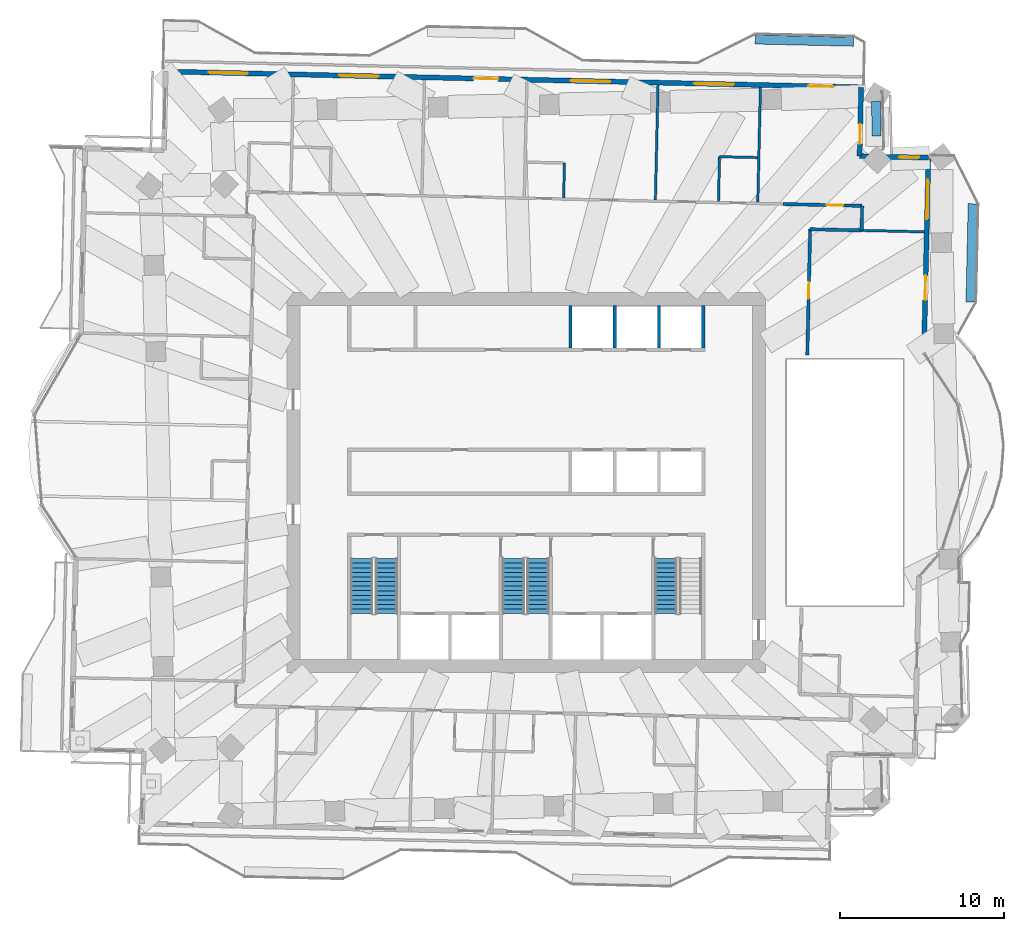
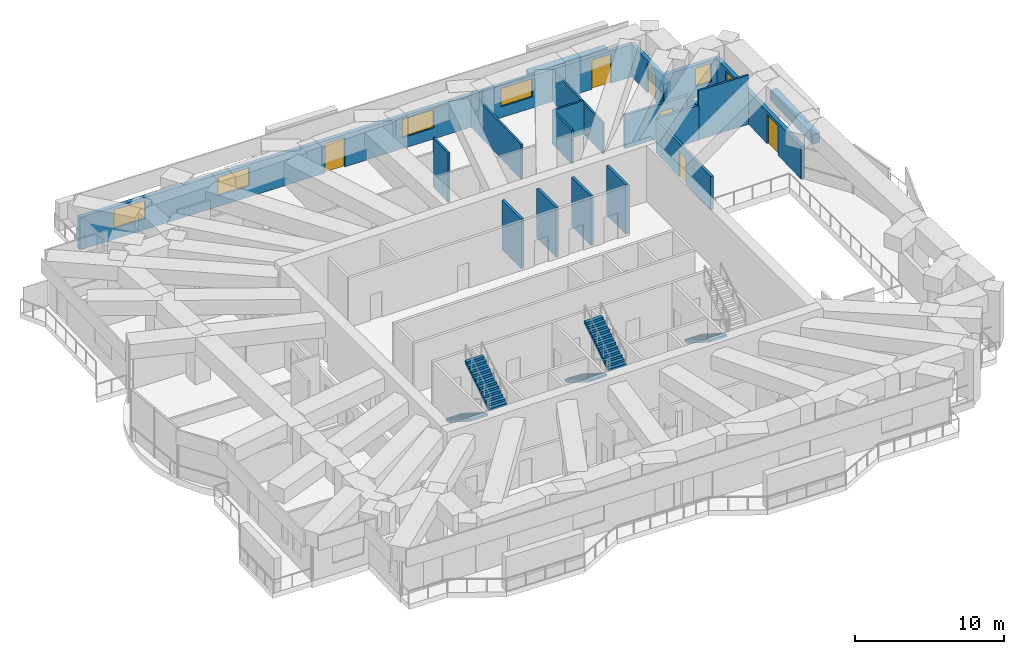
# One storey, part 13 of 19: 21 walls, 6 doors, 6 windows, 5 stair flights, 12 openings, 3 elements without a shape of their own.
"""IFC4 building model written with IfcOpenShell, lengths in metres."""

from ifc_helpers import new_model, si_unit, direction, frame, frame_2d, origin, place, context, subcontext, project, spatial, polyline, rectangle, outline, extrude, material, layer, layer_set, type_object, element, fill, aggregate, save


model = new_model("IFC4")

# Units and contexts
model_context = context("Model", 3, precision=1e-05, world=origin(), true_north=direction((0.0, 1.0)))
body_context = subcontext(model_context, "Body", "Model", "MODEL_VIEW")
ifc_project = project(units=[si_unit("LENGTHUNIT", "METRE"), si_unit("AREAUNIT", "SQUARE_METRE"), si_unit("VOLUMEUNIT", "CUBIC_METRE"), si_unit("PLANEANGLEUNIT", "RADIAN"), si_unit("MASSUNIT", "GRAM", prefix="KILO")], contexts=[model_context])

# Site, building, storey
site_placement = place(None, origin())
site = spatial("IfcSite", under=ifc_project, at=site_placement, CompositionType="ELEMENT")
building_placement = place(site_placement, origin())
building = spatial("IfcBuilding", under=site, at=building_placement, Name="Mangrove Gate Tower", CompositionType="ELEMENT")
storey_placement = place(building_placement, frame((0.0, 0.0, 193.300048828125)))
storey = spatial("IfcBuildingStorey", under=building, at=storey_placement, Name="L49", CompositionType="ELEMENT", Elevation=193.300048828125)

# Walls
ifc_material_1 = material(Name="Concrete C60/75", Category="concrete")
ifc_layer_1 = layer(ifc_material_1, 0.199951171875)
ifc_layer_set_1 = layer_set([ifc_layer_1], Name="Core shaft wall 200 C60/75")
wall_type_1 = type_object("IfcWallType", Name="Core shaft wall 200 C60/75", PredefinedType="SHEAR", material=ifc_layer_set_1)
for number, where, z_axis, x_axis, name in (
    (1, (2.699951171875, 8.199951171875, 0.0), (0.0, 0.0, 1.0), (0.0, 1.0, 0.0), "WALL-L49-CORE-26"),
    (2, (5.39990234375, 8.199951171875, 0.0), (0.0, 0.0, 1.0), (0.0, 1.0, 0.0), "WALL-L49-CORE-27"),
    (3, (8.10009765625, 8.199951171875, 0.0), (0.0, 0.0, 1.0), (0.0, 1.0, 0.0), "WALL-L49-CORE-28"),
    (4, (10.800048828125, 8.199951171875, 0.0), (0.0, 0.0, 1.0), (0.0, 1.0, 0.0), "WALL-L49-CORE-29"),
):
    element("IfcWall", number, at=place(storey_placement, frame(where, z_axis=z_axis, x_axis=x_axis)), inside=storey, type_object=wall_type_1, Name=name, PredefinedType="SHEAR", context=body_context, shape_type="SweptSolid", body=[
        extrude(rectangle(XDim=2.60009765625, YDim=0.199951171875, at=frame_2d((1.300048828125, 0.0))), origin(), (0.0, 0.0, 1.0), 4.050048828125),
    ])

# Wall, opening, door
ifc_material_2 = material(Name="Gypsum board on steel stud, EI 60", Category="steel")
ifc_layer_2 = layer(ifc_material_2, 0.199951171875)
ifc_layer_set_2 = layer_set([ifc_layer_2], Name="Corridor wall EI 60")
wall_type_2 = type_object("IfcWallType", Name="Corridor wall EI 60", PredefinedType="PARTITIONING", material=ifc_layer_set_2)
wall_1_placement = place(storey_placement, frame((17.154052734375, 7.785888671875, 0.0), z_axis=(0.0, 0.0, 1.0), x_axis=(0.022680883318, 0.999742755679, 0.0)))
wall_1 = element("IfcWall", 5, at=wall_1_placement, inside=storey, type_object=wall_type_2, Name="WALL-L49-031", PredefinedType="PARTITIONING", context=body_context, shape_type="SweptSolid", body=[
    extrude(rectangle(XDim=7.6640625, YDim=0.199951171875, at=frame_2d((3.83203125, 0.0))), origin(), (0.0, 0.0, 1.0), 2.75),
])
opening_1_placement = place(wall_1_placement, frame((3.43408203125, 0.0, 0.0)))
opening_1 = element("IfcOpeningElement", 6, at=opening_1_placement, cuts=wall_1, Name="Opening AD", PredefinedType="OPENING", context=body_context, shape_type="SweptSolid", body=[
    extrude(rectangle(XDim=1.0, YDim=2.10009765625, at=frame_2d((0.5, 1.050048828125))), frame((0.0, 0.10986328125, 0.0), z_axis=(0.0, -1.0, 0.0), x_axis=(1.0, 0.0, 0.0)), (0.0, 0.0, 1.0), 0.219970703125),
])
ifc_material_3 = material(Name="Timber door leaf", Category="wood")
door_type_1 = type_object("IfcDoorType", Name="Amenity door 1000", OperationType="SINGLE_SWING_LEFT", PredefinedType="DOOR", material=ifc_material_3)
door_1_placement = place(opening_1_placement, origin())
door_1 = element("IfcDoor", 7, at=door_1_placement, inside=storey, type_object=door_type_1, Name="DOOR-L49-LNG-c5a", OperationType="SINGLE_SWING_LEFT", OverallHeight=2.10009765625, OverallWidth=1.0, PredefinedType="DOOR", context=body_context, shape_type="SweptSolid", body=[
    extrude(rectangle(XDim=1.0, YDim=2.10009765625, at=frame_2d((0.5, 1.050048828125))), frame((0.0, 0.02490234375, 0.0), z_axis=(0.0, -1.0, 0.0), x_axis=(1.0, 0.0, 0.0)), (0.0, 0.0, 1.0), 0.050048828125),
])
fill(opening_1, door_1)

# Walls
wall_2_placement = place(storey_placement, frame((17.322998046875, 15.444091796875, 0.0), z_axis=(0.0, 0.0, 1.0), x_axis=(0.999744316737, -0.022611969234, 0.0)))
element("IfcWall", 8, at=wall_2_placement, inside=storey, type_object=wall_type_2, Name="WALL-L49-037", PredefinedType="PARTITIONING", context=body_context, shape_type="SweptSolid", body=[
    extrude(rectangle(XDim=3.141845703125, YDim=0.199951171875, at=frame_2d((1.57080078125, 0.0))), origin(), (0.0, 0.0, 1.0), 2.849853515625),
])
wall_3_placement = place(storey_placement, frame((20.467041015625, 15.376953125, 0.0), z_axis=(0.0, 0.0, 1.0), x_axis=(0.022617910375, 0.999744182344, 0.0)))
element("IfcWall", 9, at=wall_3_placement, inside=storey, type_object=wall_type_2, Name="WALL-L49-040", PredefinedType="PARTITIONING", context=body_context, shape_type="SweptSolid", body=[
    extrude(rectangle(XDim=1.50048828125, YDim=0.199951171875, at=frame_2d((0.750244140625, 0.0))), origin(), (0.0, 0.0, 1.0), 2.849853515625),
])

# Wall, opening, door
wall_4_placement = place(storey_placement, frame((15.657958984375, 16.98193359375, 0.0), z_axis=(0.0, 0.0, 1.0), x_axis=(0.999747041942, -0.022491156656, 0.0)))
wall_4 = element("IfcWall", 10, at=wall_4_placement, inside=storey, type_object=wall_type_2, Name="WALL-L49-043", PredefinedType="PARTITIONING", context=body_context, shape_type="SweptSolid", body=[
    extrude(rectangle(XDim=4.84130859375, YDim=0.199951171875, at=frame_2d((2.420654296875, 0.0))), origin(), (0.0, 0.0, 1.0), 2.75),
])
opening_2_placement = place(wall_4_placement, frame((2.676025390625, 0.0, 0.0)))
opening_2 = element("IfcOpeningElement", 11, at=opening_2_placement, cuts=wall_4, Name="Opening AD", PredefinedType="OPENING", context=body_context, shape_type="SweptSolid", body=[
    extrude(rectangle(XDim=1.0, YDim=2.10009765625, at=frame_2d((0.5, 1.050048828125))), frame((0.0, 0.10986328125, 0.0), z_axis=(0.0, -1.0, 0.0), x_axis=(1.0, 0.0, 0.0)), (0.0, 0.0, 1.0), 0.219970703125),
])
door_2_placement = place(opening_2_placement, origin())
door_2 = element("IfcDoor", 12, at=door_2_placement, inside=storey, type_object=door_type_1, Name="DOOR-L49-KIT-c5a", OperationType="SINGLE_SWING_RIGHT", OverallHeight=2.10009765625, OverallWidth=1.0, PredefinedType="DOOR", context=body_context, shape_type="SweptSolid", body=[
    extrude(rectangle(XDim=1.0, YDim=2.10009765625, at=frame_2d((0.5, 1.050048828125))), frame((0.0, 0.02490234375, 0.0), z_axis=(0.0, -1.0, 0.0), x_axis=(1.0, 0.0, 0.0)), (0.0, 0.0, 1.0), 0.050048828125),
])
fill(opening_2, door_2)

# Wall, openings, door, window
ifc_material_4 = material(Name="Limestone", Category="masonry")
ifc_layer_3 = layer(ifc_material_4, 0.0400390625, Name="Limestone cladding")
ifc_material_5 = material(Name="Ventilated air gap")
ifc_layer_4 = layer(ifc_material_5, 0.0400390625, Name="Ventilated cavity")
ifc_material_6 = material(Name="Mineral wool insulation")
ifc_layer_5 = layer(ifc_material_6, 0.06005859375, Name="Insulation")
ifc_material_7 = material(Name="Breather membrane")
ifc_layer_6 = layer(ifc_material_7, 0.001953125, Name="Breather membrane")
ifc_material_8 = material(Name="Concrete C20/25 blockwork", Category="masonry")
ifc_layer_7 = layer(ifc_material_8, 0.14990234375, Name="Blockwork backing wall")
ifc_material_9 = material(Name="Gypsum plaster")
ifc_layer_8 = layer(ifc_material_9, 0.008056640625, Name="Internal plaster")
ifc_layer_set_3 = layer_set([ifc_layer_3, ifc_layer_4, ifc_layer_5, ifc_layer_6, ifc_layer_7, ifc_layer_8], Name="External wall 300 limestone cladding")
wall_type_3 = type_object("IfcWallType", Name="External wall 300 limestone cladding", PredefinedType="SOLIDWALL", material=ifc_layer_set_3)
wall_5_placement = place(storey_placement, frame((24.27001953125, 7.885009765625, 0.0), z_axis=(0.0, 0.0, 1.0), x_axis=(0.022715362207, 0.999741972871, 0.0)))
wall_5 = element("IfcWall", 13, at=wall_5_placement, inside=storey, type_object=wall_type_3, Name="WALL-L49-E2", PredefinedType="SOLIDWALL", context=body_context, shape_type="SweptSolid", body=[
    extrude(rectangle(XDim=11.93017578125, YDim=0.300048828125, at=frame_2d((5.965087890625, 0.0))), origin(), (0.0, 0.0, 1.0), 2.64990234375),
])
opening_3_placement = place(wall_5_placement, frame((3.239013671875, 0.0, 0.0)))
opening_3 = element("IfcOpeningElement", 14, at=opening_3_placement, cuts=wall_5, Name="Opening BD1", PredefinedType="OPENING", context=body_context, shape_type="SweptSolid", body=[
    extrude(rectangle(XDim=1.5, YDim=2.39990234375, at=frame_2d((0.75, 1.199951171875))), frame((0.0, 0.159912109375, 0.0), z_axis=(0.0, -1.0, 0.0), x_axis=(1.0, 0.0, 0.0)), (0.0, 0.0, 1.0), 0.320068359375),
])
opening_4_placement = place(wall_5_placement, frame((8.1689453125, 0.0, 0.89990234375)))
opening_4 = element("IfcOpeningElement", 15, at=opening_4_placement, cuts=wall_5, Name="Opening W2", PredefinedType="OPENING", context=body_context, shape_type="SweptSolid", body=[
    extrude(rectangle(XDim=2.39990234375, YDim=1.5, at=frame_2d((1.199951171875, 0.75))), frame((0.0, 0.159912109375, 0.0), z_axis=(0.0, -1.0, 0.0), x_axis=(1.0, 0.0, 0.0)), (0.0, 0.0, 1.0), 0.320068359375),
])
ifc_material_10 = material(Name="Aluminium frame with laminated clear glass", Category="aluminium")
door_type_2 = type_object("IfcDoorType", Name="Balcony sliding door 1500x2400", OperationType="SLIDING_TO_LEFT", PredefinedType="DOOR", material=ifc_material_10)
door_3_placement = place(opening_3_placement, origin())
door_3 = element("IfcDoor", 16, at=door_3_placement, inside=storey, type_object=door_type_2, Name="DOOR-L49-E2-1", OperationType="SLIDING_TO_LEFT", OverallHeight=2.39990234375, OverallWidth=1.5, PredefinedType="DOOR", context=body_context, shape_type="SweptSolid", body=[
    extrude(rectangle(XDim=1.5, YDim=2.39990234375, at=frame_2d((0.75, 1.199951171875))), frame((0.0, 0.02490234375, 0.0), z_axis=(0.0, -1.0, 0.0), x_axis=(1.0, 0.0, 0.0)), (0.0, 0.0, 1.0), 0.050048828125),
])
fill(opening_3, door_3)
ifc_material_11 = material(Name="Aluminium frame with double-glazed low-e glass", Category="aluminium")
window_type_1 = type_object("IfcWindowType", Name="Corner room window 2400x1500", PartitioningType="DOUBLE_PANEL_VERTICAL", PredefinedType="WINDOW", material=ifc_material_11)
window_1_placement = place(opening_4_placement, origin())
window_1 = element("IfcWindow", 17, at=window_1_placement, inside=storey, type_object=window_type_1, Name="WIN-L49-E2-2", OverallHeight=1.5, OverallWidth=2.39990234375, PartitioningType="DOUBLE_PANEL_VERTICAL", PredefinedType="WINDOW", context=body_context, shape_type="SweptSolid", body=[
    extrude(rectangle(XDim=2.39990234375, YDim=1.5, at=frame_2d((1.199951171875, 0.75))), frame((0.0, 0.030029296875, 0.0), z_axis=(0.0, -1.0, 0.0), x_axis=(1.0, 0.0, 0.0)), (0.0, 0.0, 1.0), 0.06005859375),
])
fill(opening_4, window_1)

# Wall, opening, window
wall_6_placement = place(storey_placement, frame((24.541015625, 19.81201171875, 0.0), z_axis=(0.0, 0.0, 1.0), x_axis=(-0.999744320311, 0.022611811187, 0.0)))
wall_6 = element("IfcWall", 18, at=wall_6_placement, inside=storey, type_object=wall_type_3, Name="WALL-L49-N3", PredefinedType="SOLIDWALL", context=body_context, shape_type="SweptSolid", body=[
    extrude(rectangle(XDim=4.199951171875, YDim=0.300048828125, at=frame_2d((2.10009765625, 0.0))), origin(), (0.0, 0.0, 1.0), 2.64990234375),
])
opening_5_placement = place(wall_6_placement, frame((0.56396484375, 0.0, 0.89990234375)))
opening_5 = element("IfcOpeningElement", 19, at=opening_5_placement, cuts=wall_6, Name="Opening W1", PredefinedType="OPENING", context=body_context, shape_type="SweptSolid", body=[
    extrude(rectangle(XDim=1.199951171875, YDim=1.5, at=frame_2d((0.60009765625, 0.75))), frame((0.0, 0.159912109375, 0.0), z_axis=(0.0, -1.0, 0.0), x_axis=(1.0, 0.0, 0.0)), (0.0, 0.0, 1.0), 0.320068359375),
])
ifc_material_12 = material(Name="Aluminium frame with double-glazed low-e glass", Category="aluminium")
window_type_2 = type_object("IfcWindowType", Name="Side lite 1200x1500", PartitioningType="SINGLE_PANEL", PredefinedType="WINDOW", material=ifc_material_12)
window_2_placement = place(opening_5_placement, origin())
window_2 = element("IfcWindow", 20, at=window_2_placement, inside=storey, type_object=window_type_2, Name="WIN-L49-N3-1", OverallHeight=1.5, OverallWidth=1.199951171875, PartitioningType="SINGLE_PANEL", PredefinedType="WINDOW", context=body_context, shape_type="SweptSolid", body=[
    extrude(rectangle(XDim=1.199951171875, YDim=1.5, at=frame_2d((0.60009765625, 0.75))), frame((0.0, 0.030029296875, 0.0), z_axis=(0.0, -1.0, 0.0), x_axis=(1.0, 0.0, 0.0)), (0.0, 0.0, 1.0), 0.06005859375),
])
fill(opening_5, window_2)

# Wall, opening, door
wall_7_placement = place(storey_placement, frame((20.342041015625, 19.906982421875, 0.0), z_axis=(0.0, 0.0, 1.0), x_axis=(0.022611811187, 0.999744320311, 0.0)))
wall_7 = element("IfcWall", 21, at=wall_7_placement, inside=storey, type_object=wall_type_3, Name="WALL-L49-E4", PredefinedType="SOLIDWALL", context=body_context, shape_type="SweptSolid", body=[
    extrude(rectangle(XDim=4.199951171875, YDim=0.300048828125, at=frame_2d((2.10009765625, 0.0))), origin(), (0.0, 0.0, 1.0), 2.64990234375),
])
opening_6_placement = place(wall_7_placement, frame((0.75, 0.0, 0.0)))
opening_6 = element("IfcOpeningElement", 22, at=opening_6_placement, cuts=wall_7, Name="Opening BD2", PredefinedType="OPENING", context=body_context, shape_type="SweptSolid", body=[
    extrude(rectangle(XDim=1.199951171875, YDim=2.39990234375, at=frame_2d((0.60009765625, 1.199951171875))), frame((0.0, 0.159912109375, 0.0), z_axis=(0.0, -1.0, 0.0), x_axis=(1.0, 0.0, 0.0)), (0.0, 0.0, 1.0), 0.320068359375),
])
ifc_material_13 = material(Name="Aluminium frame with laminated clear glass", Category="aluminium")
door_type_3 = type_object("IfcDoorType", Name="Balcony sliding door 1200x2400", OperationType="SLIDING_TO_LEFT", PredefinedType="DOOR", material=ifc_material_13)
door_4_placement = place(opening_6_placement, origin())
door_4 = element("IfcDoor", 23, at=door_4_placement, inside=storey, type_object=door_type_3, Name="DOOR-L49-E4-1", OperationType="SLIDING_TO_LEFT", OverallHeight=2.39990234375, OverallWidth=1.199951171875, PredefinedType="DOOR", context=body_context, shape_type="SweptSolid", body=[
    extrude(rectangle(XDim=1.199951171875, YDim=2.39990234375, at=frame_2d((0.60009765625, 1.199951171875))), frame((0.0, 0.02490234375, 0.0), z_axis=(0.0, -1.0, 0.0), x_axis=(1.0, 0.0, 0.0)), (0.0, 0.0, 1.0), 0.050048828125),
])
fill(opening_6, door_4)

# Wall, openings, doors, windows
wall_8_placement = place(storey_placement, frame((20.43701171875, 24.10595703125, 0.0), z_axis=(0.0, 0.0, 1.0), x_axis=(-0.999742506232, 0.022691875925, 0.0)))
wall_8 = element("IfcWall", 24, at=wall_8_placement, inside=storey, type_object=wall_type_3, Name="WALL-L49-N5", PredefinedType="SOLIDWALL", context=body_context, shape_type="SweptSolid", body=[
    extrude(rectangle(XDim=42.444091796875, YDim=0.300048828125, at=frame_2d((21.22216796875, 0.0))), origin(), (0.0, 0.0, 1.0), 2.64990234375),
])
opening_7_placement = place(wall_8_placement, frame((1.7109375, 0.0, 0.0)))
opening_7 = element("IfcOpeningElement", 25, at=opening_7_placement, cuts=wall_8, Name="Opening BD1", PredefinedType="OPENING", context=body_context, shape_type="SweptSolid", body=[
    extrude(rectangle(XDim=1.5, YDim=2.39990234375, at=frame_2d((0.75, 1.199951171875))), frame((0.0, 0.159912109375, 0.0), z_axis=(0.0, -1.0, 0.0), x_axis=(1.0, 0.0, 0.0)), (0.0, 0.0, 1.0), 0.320068359375),
])
opening_8_placement = place(wall_8_placement, frame((7.76904296875, 0.0, 0.89990234375)))
opening_8 = element("IfcOpeningElement", 26, at=opening_8_placement, cuts=wall_8, Name="Opening W2", PredefinedType="OPENING", context=body_context, shape_type="SweptSolid", body=[
    extrude(rectangle(XDim=2.39990234375, YDim=1.5, at=frame_2d((1.199951171875, 0.75))), frame((0.0, 0.159912109375, 0.0), z_axis=(0.0, -1.0, 0.0), x_axis=(1.0, 0.0, 0.0)), (0.0, 0.0, 1.0), 0.320068359375),
])
opening_9_placement = place(wall_8_placement, frame((15.321044921875, 0.0, 0.89990234375)))
opening_9 = element("IfcOpeningElement", 27, at=opening_9_placement, cuts=wall_8, Name="Opening W2", PredefinedType="OPENING", context=body_context, shape_type="SweptSolid", body=[
    extrude(rectangle(XDim=2.39990234375, YDim=1.5, at=frame_2d((1.199951171875, 0.75))), frame((0.0, 0.159912109375, 0.0), z_axis=(0.0, -1.0, 0.0), x_axis=(1.0, 0.0, 0.0)), (0.0, 0.0, 1.0), 0.320068359375),
])
opening_10_placement = place(wall_8_placement, frame((22.14208984375, 0.0, 0.0)))
opening_10 = element("IfcOpeningElement", 28, at=opening_10_placement, cuts=wall_8, Name="Opening BD1", PredefinedType="OPENING", context=body_context, shape_type="SweptSolid", body=[
    extrude(rectangle(XDim=1.5, YDim=2.39990234375, at=frame_2d((0.75, 1.199951171875))), frame((0.0, 0.159912109375, 0.0), z_axis=(0.0, -1.0, 0.0), x_axis=(1.0, 0.0, 0.0)), (0.0, 0.0, 1.0), 0.320068359375),
])
opening_11_placement = place(wall_8_placement, frame((29.444091796875, 0.0, 0.89990234375)))
opening_11 = element("IfcOpeningElement", 29, at=opening_11_placement, cuts=wall_8, Name="Opening W2", PredefinedType="OPENING", context=body_context, shape_type="SweptSolid", body=[
    extrude(rectangle(XDim=2.39990234375, YDim=1.5, at=frame_2d((1.199951171875, 0.75))), frame((0.0, 0.159912109375, 0.0), z_axis=(0.0, -1.0, 0.0), x_axis=(1.0, 0.0, 0.0)), (0.0, 0.0, 1.0), 0.320068359375),
])
opening_12_placement = place(wall_8_placement, frame((37.4189453125, 0.0, 0.89990234375)))
opening_12 = element("IfcOpeningElement", 30, at=opening_12_placement, cuts=wall_8, Name="Opening W2", PredefinedType="OPENING", context=body_context, shape_type="SweptSolid", body=[
    extrude(rectangle(XDim=2.39990234375, YDim=1.5, at=frame_2d((1.199951171875, 0.75))), frame((0.0, 0.159912109375, 0.0), z_axis=(0.0, -1.0, 0.0), x_axis=(1.0, 0.0, 0.0)), (0.0, 0.0, 1.0), 0.320068359375),
])
door_5_placement = place(opening_7_placement, origin())
door_5 = element("IfcDoor", 31, at=door_5_placement, inside=storey, type_object=door_type_2, Name="DOOR-L49-N5-1", OperationType="SLIDING_TO_LEFT", OverallHeight=2.39990234375, OverallWidth=1.5, PredefinedType="DOOR", context=body_context, shape_type="SweptSolid", body=[
    extrude(rectangle(XDim=1.5, YDim=2.39990234375, at=frame_2d((0.75, 1.199951171875))), frame((0.0, 0.02490234375, 0.0), z_axis=(0.0, -1.0, 0.0), x_axis=(1.0, 0.0, 0.0)), (0.0, 0.0, 1.0), 0.050048828125),
])
fill(opening_7, door_5)
door_6_placement = place(opening_10_placement, origin())
door_6 = element("IfcDoor", 32, at=door_6_placement, inside=storey, type_object=door_type_2, Name="DOOR-L49-N5-4", OperationType="SLIDING_TO_LEFT", OverallHeight=2.39990234375, OverallWidth=1.5, PredefinedType="DOOR", context=body_context, shape_type="SweptSolid", body=[
    extrude(rectangle(XDim=1.5, YDim=2.39990234375, at=frame_2d((0.75, 1.199951171875))), frame((0.0, 0.02490234375, 0.0), z_axis=(0.0, -1.0, 0.0), x_axis=(1.0, 0.0, 0.0)), (0.0, 0.0, 1.0), 0.050048828125),
])
fill(opening_10, door_6)
window_3_placement = place(opening_8_placement, origin())
window_3 = element("IfcWindow", 33, at=window_3_placement, inside=storey, type_object=window_type_1, Name="WIN-L49-N5-2", OverallHeight=1.5, OverallWidth=2.39990234375, PartitioningType="DOUBLE_PANEL_VERTICAL", PredefinedType="WINDOW", context=body_context, shape_type="SweptSolid", body=[
    extrude(rectangle(XDim=2.39990234375, YDim=1.5, at=frame_2d((1.199951171875, 0.75))), frame((0.0, 0.030029296875, 0.0), z_axis=(0.0, -1.0, 0.0), x_axis=(1.0, 0.0, 0.0)), (0.0, 0.0, 1.0), 0.06005859375),
])
fill(opening_8, window_3)
window_4_placement = place(opening_9_placement, origin())
window_4 = element("IfcWindow", 34, at=window_4_placement, inside=storey, type_object=window_type_1, Name="WIN-L49-N5-3", OverallHeight=1.5, OverallWidth=2.39990234375, PartitioningType="DOUBLE_PANEL_VERTICAL", PredefinedType="WINDOW", context=body_context, shape_type="SweptSolid", body=[
    extrude(rectangle(XDim=2.39990234375, YDim=1.5, at=frame_2d((1.199951171875, 0.75))), frame((0.0, 0.030029296875, 0.0), z_axis=(0.0, -1.0, 0.0), x_axis=(1.0, 0.0, 0.0)), (0.0, 0.0, 1.0), 0.06005859375),
])
fill(opening_9, window_4)
window_5_placement = place(opening_11_placement, origin())
window_5 = element("IfcWindow", 35, at=window_5_placement, inside=storey, type_object=window_type_1, Name="WIN-L49-N5-5", OverallHeight=1.5, OverallWidth=2.39990234375, PartitioningType="DOUBLE_PANEL_VERTICAL", PredefinedType="WINDOW", context=body_context, shape_type="SweptSolid", body=[
    extrude(rectangle(XDim=2.39990234375, YDim=1.5, at=frame_2d((1.199951171875, 0.75))), frame((0.0, 0.030029296875, 0.0), z_axis=(0.0, -1.0, 0.0), x_axis=(1.0, 0.0, 0.0)), (0.0, 0.0, 1.0), 0.06005859375),
])
fill(opening_11, window_5)
window_6_placement = place(opening_12_placement, origin())
window_6 = element("IfcWindow", 36, at=window_6_placement, inside=storey, type_object=window_type_1, Name="WIN-L49-N5-6", OverallHeight=1.5, OverallWidth=2.39990234375, PartitioningType="DOUBLE_PANEL_VERTICAL", PredefinedType="WINDOW", context=body_context, shape_type="SweptSolid", body=[
    extrude(rectangle(XDim=2.39990234375, YDim=1.5, at=frame_2d((1.199951171875, 0.75))), frame((0.0, 0.030029296875, 0.0), z_axis=(0.0, -1.0, 0.0), x_axis=(1.0, 0.0, 0.0)), (0.0, 0.0, 1.0), 0.06005859375),
])
fill(opening_12, window_6)

# Walls
ifc_material_14 = material(Name="Gypsum board on steel stud, EI 60", Category="steel")
ifc_layer_9 = layer(ifc_material_14, 0.14990234375)
ifc_layer_set_4 = layer_set([ifc_layer_9], Name="Party wall 150 EI 60")
wall_type_4 = type_object("IfcWallType", Name="Party wall 150 EI 60", PredefinedType="PARTITIONING", material=ifc_layer_set_4)
wall_9_placement = place(storey_placement, frame((20.464111328125, 15.373046875, 0.0), z_axis=(0.0, 0.0, 1.0), x_axis=(0.999740350573, -0.022786650396, 0.0)))
element("IfcWall", 37, at=wall_9_placement, inside=storey, type_object=wall_type_4, Name="WALL-L49-038", PredefinedType="PARTITIONING", context=body_context, shape_type="SweptSolid", body=[
    extrude(rectangle(XDim=3.824951171875, YDim=0.14990234375, at=frame_2d((1.91259765625, 0.0))), origin(), (0.0, 0.0, 1.0), 4.050048828125),
])
wall_10_placement = place(storey_placement, frame((2.2880859375, 17.364990234375, 0.0), z_axis=(0.0, 0.0, 1.0), x_axis=(0.022523020646, 0.999746324595, 0.0)))
element("IfcWall", 38, at=wall_10_placement, inside=storey, type_object=wall_type_4, Name="WALL-L49-049", PredefinedType="PARTITIONING", context=body_context, shape_type="SweptSolid", body=[
    extrude(rectangle(XDim=2.12451171875, YDim=0.14990234375, at=frame_2d((1.062255859375, 0.0))), origin(), (0.0, 0.0, 1.0), 4.050048828125),
])
wall_11_placement = place(storey_placement, frame((7.885986328125, 17.238037109375, 0.0), z_axis=(0.0, 0.0, 1.0), x_axis=(0.022702393474, 0.999742267452, 0.0)))
element("IfcWall", 39, at=wall_11_placement, inside=storey, type_object=wall_type_4, Name="WALL-L49-050", PredefinedType="PARTITIONING", context=body_context, shape_type="SweptSolid", body=[
    extrude(rectangle(XDim=7.000732421875, YDim=0.14990234375, at=frame_2d((3.50048828125, 0.0))), origin(), (0.0, 0.0, 1.0), 2.849853515625),
])
wall_12_placement = place(storey_placement, frame((11.735107421875, 17.14990234375, 0.0), z_axis=(0.0, 0.0, 1.0), x_axis=(0.022749889061, 0.999741187782, 0.0)))
element("IfcWall", 40, at=wall_12_placement, inside=storey, type_object=wall_type_4, Name="WALL-L49-051", PredefinedType="PARTITIONING", context=body_context, shape_type="SweptSolid", body=[
    extrude(rectangle(XDim=2.725830078125, YDim=0.14990234375, at=frame_2d((1.36279296875, 0.0))), origin(), (0.0, 0.0, 1.0), 2.75),
])
wall_13_placement = place(storey_placement, frame((14.134033203125, 17.095947265625, 0.0), z_axis=(0.0, 0.0, 1.0), x_axis=(0.022702393474, 0.999742267452, 0.0)))
element("IfcWall", 41, at=wall_13_placement, inside=storey, type_object=wall_type_4, Name="WALL-L49-052", PredefinedType="PARTITIONING", context=body_context, shape_type="SweptSolid", body=[
    extrude(rectangle(XDim=7.000732421875, YDim=0.14990234375, at=frame_2d((3.50048828125, 0.0))), origin(), (0.0, 0.0, 1.0), 2.550048828125),
])
wall_14_placement = place(storey_placement, frame((11.794921875, 19.87109375, 0.0), z_axis=(0.0, 0.0, 1.0), x_axis=(0.999740260747, -0.02279059109, 0.0)))
element("IfcWall", 42, at=wall_14_placement, inside=storey, type_object=wall_type_4, Name="WALL-L49-055", PredefinedType="PARTITIONING", context=body_context, shape_type="SweptSolid", body=[
    extrude(rectangle(XDim=2.324462890625, YDim=0.14990234375, at=frame_2d((1.162109375, 0.0))), origin(), (0.0, 0.0, 1.0), 2.75),
])
ifc_material_15 = material(Name="Concrete C32/40", Category="concrete")
ifc_layer_10 = layer(ifc_material_15, 0.199951171875, Name="Planter trough wall")
ifc_material_16 = material(Name="Bituminous waterproofing membrane")
ifc_layer_11 = layer(ifc_material_16, 0.0048828125, Name="Waterproofing")
ifc_material_17 = material(Name="Drainage board and gravel")
ifc_layer_12 = layer(ifc_material_17, 0.044921875, Name="Drainage layer")
ifc_material_18 = material(Name="Planting soil")
ifc_layer_13 = layer(ifc_material_18, 0.300048828125, Name="Growing medium")
ifc_layer_set_5 = layer_set([ifc_layer_10, ifc_layer_11, ifc_layer_12, ifc_layer_13], Name="Planter wall 550 C32/40")
wall_type_5 = type_object("IfcWallType", Name="Planter wall 550 C32/40", PredefinedType="USERDEFINED", material=ifc_layer_set_5)
for number, where, z_axis, x_axis, name in (
    (43, (27.10693359375, 11.0009765625, 0.0), (0.0, 0.0, 1.0), (0.022665943652, 0.999743094499, 0.0), "PLANTER L49 E1.1"),
    (44, (13.97998046875, 27.01806640625, 0.0), (0.0, 0.0, 1.0), (0.999743094499, -0.022665943652, 0.0), "PLANTER L49 N0.1"),
):
    element("IfcWall", number, at=place(storey_placement, frame(where, z_axis=z_axis, x_axis=x_axis)), inside=storey, type_object=wall_type_5, Name=name, ObjectType="PLANTER", PredefinedType="USERDEFINED", context=body_context, shape_type="SweptSolid", body=[
        extrude(rectangle(XDim=5.99951171875, YDim=0.550048828125, at=frame_2d((2.999755859375, 0.0))), origin(), (0.0, 0.0, 1.0), 0.800048828125),
    ])
wall_15_placement = place(storey_placement, frame((21.340087890625, 23.2529296875, 0.0), z_axis=(0.0, 0.0, 1.0), x_axis=(0.022608734328, -0.999744389898, 0.0)))
element("IfcWall", 45, at=wall_15_placement, inside=storey, type_object=wall_type_5, Name="PLANTER L49 T3.1.6", ObjectType="PLANTER", PredefinedType="USERDEFINED", context=body_context, shape_type="SweptSolid", body=[
    extrude(rectangle(XDim=2.116455078125, YDim=0.550048828125, at=frame_2d((1.05810546875, 0.0))), origin(), (0.0, 0.0, 1.0), 0.800048828125),
])

# Stair, stair flights
ifc_material_19 = material(Name="Concrete C40/50", Category="concrete")
stair_type = type_object("IfcStairType", Name="Core stair 1350", PredefinedType="HALF_TURN_STAIR", material=ifc_material_19)
stair_1_placement = place(storey_placement, origin())
stair_1 = element("IfcStair", 46, at=stair_1_placement, inside=storey, type_object=stair_type, Name="L49 Stair 1", PredefinedType="HALF_TURN_STAIR")
ifc_material_20 = material(Name="Concrete C40/50", Category="concrete")
stair_flight_type = type_object("IfcStairFlightType", Name="Core stair flight 1350", PredefinedType="STRAIGHT", material=ifc_material_20)
stair_flight_1_placement = place(storey_placement, frame((-10.02490234375, -4.64990234375, 0.0), z_axis=(0.0, 0.0, 1.0), x_axis=(0.0, -1.0, 0.0)))
stair_flight_1 = element("IfcStairFlight", 47, at=stair_flight_1_placement, type_object=stair_flight_type, Name="ST1 flight 1", NumberOfRisers=13, NumberOfTreads=12, PredefinedType="STRAIGHT", RiserHeight=0.176923077, TreadLength=0.28, context=body_context, shape_type="SweptSolid", body=[
    extrude(outline(polyline([(0.0, 0.0), (0.0, 0.177001953125), (0.280029296875, 0.177001953125), (0.280029296875, 0.353759765625), (0.56005859375, 0.353759765625), (0.56005859375, 0.53076171875), (0.840087890625, 0.53076171875), (0.840087890625, 0.707763671875), (1.1201171875, 0.707763671875), (1.1201171875, 0.884521484375), (1.39990234375, 0.884521484375), (1.39990234375, 1.0615234375), (1.679931640625, 1.0615234375), (1.679931640625, 1.238525390625), (1.9599609375, 1.238525390625), (1.9599609375, 1.415283203125), (2.239990234375, 1.415283203125), (2.239990234375, 1.59228515625), (2.52001953125, 1.59228515625), (2.52001953125, 1.769287109375), (2.800048828125, 1.769287109375), (2.800048828125, 1.946044921875), (3.080078125, 1.946044921875), (3.080078125, 2.123046875), (3.360107421875, 2.123046875), (3.360107421875, 2.300048828125), (3.360107421875, 1.94580078125), (0.280517578125, 0.0), (0.0, 0.0)])), frame((0.0, 0.675048828125, 0.0), z_axis=(0.0, -1.0, 0.0), x_axis=(1.0, 0.0, 0.0)), (0.0, 0.0, 1.0), 1.35009765625),
])
stair_flight_2_placement = place(storey_placement, frame((-8.52490234375, -8.010009765625, 2.300048828125), z_axis=(0.0, 0.0, 1.0), x_axis=(0.0, 1.0, 0.0)))
stair_flight_2 = element("IfcStairFlight", 48, at=stair_flight_2_placement, type_object=stair_flight_type, Name="ST1 flight 2", NumberOfRisers=13, NumberOfTreads=12, PredefinedType="STRAIGHT", RiserHeight=0.176923077, TreadLength=0.28, context=body_context, shape_type="SweptSolid", body=[
    extrude(outline(polyline([(0.0, 0.0), (0.0, 0.177001953125), (0.280029296875, 0.177001953125), (0.280029296875, 0.353759765625), (0.56005859375, 0.353759765625), (0.56005859375, 0.53076171875), (0.840087890625, 0.53076171875), (0.840087890625, 0.707763671875), (1.1201171875, 0.707763671875), (1.1201171875, 0.884521484375), (1.39990234375, 0.884521484375), (1.39990234375, 1.0615234375), (1.679931640625, 1.0615234375), (1.679931640625, 1.238525390625), (1.9599609375, 1.238525390625), (1.9599609375, 1.415283203125), (2.239990234375, 1.415283203125), (2.239990234375, 1.59228515625), (2.52001953125, 1.59228515625), (2.52001953125, 1.769287109375), (2.800048828125, 1.769287109375), (2.800048828125, 1.946044921875), (3.080078125, 1.946044921875), (3.080078125, 2.123046875), (3.360107421875, 2.123046875), (3.360107421875, 2.300048828125), (3.360107421875, 1.94580078125), (0.280517578125, 0.0), (0.0, 0.0)])), frame((0.0, 0.675048828125, 0.0), z_axis=(0.0, -1.0, 0.0), x_axis=(1.0, 0.0, 0.0)), (0.0, 0.0, 1.0), 1.35009765625),
])
aggregate(stair_1, [stair_flight_1, stair_flight_2])

stair_2_placement = place(storey_placement, origin())
stair_2 = element("IfcStair", 49, at=stair_2_placement, inside=storey, type_object=stair_type, Name="L49 Stair 2", PredefinedType="HALF_TURN_STAIR")
stair_flight_3_placement = place(storey_placement, frame((-0.77490234375, -4.64990234375, 0.0), z_axis=(0.0, 0.0, 1.0), x_axis=(0.0, -1.0, 0.0)))
stair_flight_3 = element("IfcStairFlight", 50, at=stair_flight_3_placement, type_object=stair_flight_type, Name="ST2 flight 1", NumberOfRisers=13, NumberOfTreads=12, PredefinedType="STRAIGHT", RiserHeight=0.176923077, TreadLength=0.28, context=body_context, shape_type="SweptSolid", body=[
    extrude(outline(polyline([(0.0, 0.0), (0.0, 0.177001953125), (0.280029296875, 0.177001953125), (0.280029296875, 0.353759765625), (0.56005859375, 0.353759765625), (0.56005859375, 0.53076171875), (0.840087890625, 0.53076171875), (0.840087890625, 0.707763671875), (1.1201171875, 0.707763671875), (1.1201171875, 0.884521484375), (1.39990234375, 0.884521484375), (1.39990234375, 1.0615234375), (1.679931640625, 1.0615234375), (1.679931640625, 1.238525390625), (1.9599609375, 1.238525390625), (1.9599609375, 1.415283203125), (2.239990234375, 1.415283203125), (2.239990234375, 1.59228515625), (2.52001953125, 1.59228515625), (2.52001953125, 1.769287109375), (2.800048828125, 1.769287109375), (2.800048828125, 1.946044921875), (3.080078125, 1.946044921875), (3.080078125, 2.123046875), (3.360107421875, 2.123046875), (3.360107421875, 2.300048828125), (3.360107421875, 1.94580078125), (0.280517578125, 0.0), (0.0, 0.0)])), frame((0.0, 0.675048828125, 0.0), z_axis=(0.0, -1.0, 0.0), x_axis=(1.0, 0.0, 0.0)), (0.0, 0.0, 1.0), 1.35009765625),
])
stair_flight_4_placement = place(storey_placement, frame((0.72509765625, -8.010009765625, 2.300048828125), z_axis=(0.0, 0.0, 1.0), x_axis=(0.0, 1.0, 0.0)))
stair_flight_4 = element("IfcStairFlight", 51, at=stair_flight_4_placement, type_object=stair_flight_type, Name="ST2 flight 2", NumberOfRisers=13, NumberOfTreads=12, PredefinedType="STRAIGHT", RiserHeight=0.176923077, TreadLength=0.28, context=body_context, shape_type="SweptSolid", body=[
    extrude(outline(polyline([(0.0, 0.0), (0.0, 0.177001953125), (0.280029296875, 0.177001953125), (0.280029296875, 0.353759765625), (0.56005859375, 0.353759765625), (0.56005859375, 0.53076171875), (0.840087890625, 0.53076171875), (0.840087890625, 0.707763671875), (1.1201171875, 0.707763671875), (1.1201171875, 0.884521484375), (1.39990234375, 0.884521484375), (1.39990234375, 1.0615234375), (1.679931640625, 1.0615234375), (1.679931640625, 1.238525390625), (1.9599609375, 1.238525390625), (1.9599609375, 1.415283203125), (2.239990234375, 1.415283203125), (2.239990234375, 1.59228515625), (2.52001953125, 1.59228515625), (2.52001953125, 1.769287109375), (2.800048828125, 1.769287109375), (2.800048828125, 1.946044921875), (3.080078125, 1.946044921875), (3.080078125, 2.123046875), (3.360107421875, 2.123046875), (3.360107421875, 2.300048828125), (3.360107421875, 1.94580078125), (0.280517578125, 0.0), (0.0, 0.0)])), frame((0.0, 0.675048828125, 0.0), z_axis=(0.0, -1.0, 0.0), x_axis=(1.0, 0.0, 0.0)), (0.0, 0.0, 1.0), 1.35009765625),
])
aggregate(stair_2, [stair_flight_3, stair_flight_4])

# Stair, stair flight
stair_3_placement = place(storey_placement, origin())
stair_3 = element("IfcStair", 52, at=stair_3_placement, inside=storey, type_object=stair_type, Name="L49 Stair 3", PredefinedType="HALF_TURN_STAIR")
stair_flight_5_placement = place(storey_placement, frame((8.52490234375, -4.64990234375, 0.0), z_axis=(0.0, 0.0, 1.0), x_axis=(0.0, -1.0, 0.0)))
stair_flight_5 = element("IfcStairFlight", 53, at=stair_flight_5_placement, type_object=stair_flight_type, Name="ST3 flight 1", NumberOfRisers=13, NumberOfTreads=12, PredefinedType="STRAIGHT", RiserHeight=0.176923077, TreadLength=0.28, context=body_context, shape_type="SweptSolid", body=[
    extrude(outline(polyline([(0.0, 0.0), (0.0, 0.177001953125), (0.280029296875, 0.177001953125), (0.280029296875, 0.353759765625), (0.56005859375, 0.353759765625), (0.56005859375, 0.53076171875), (0.840087890625, 0.53076171875), (0.840087890625, 0.707763671875), (1.1201171875, 0.707763671875), (1.1201171875, 0.884521484375), (1.39990234375, 0.884521484375), (1.39990234375, 1.0615234375), (1.679931640625, 1.0615234375), (1.679931640625, 1.238525390625), (1.9599609375, 1.238525390625), (1.9599609375, 1.415283203125), (2.239990234375, 1.415283203125), (2.239990234375, 1.59228515625), (2.52001953125, 1.59228515625), (2.52001953125, 1.769287109375), (2.800048828125, 1.769287109375), (2.800048828125, 1.946044921875), (3.080078125, 1.946044921875), (3.080078125, 2.123046875), (3.360107421875, 2.123046875), (3.360107421875, 2.300048828125), (3.360107421875, 1.94580078125), (0.280517578125, 0.0), (0.0, 0.0)])), frame((0.0, 0.675048828125, 0.0), z_axis=(0.0, -1.0, 0.0), x_axis=(1.0, 0.0, 0.0)), (0.0, 0.0, 1.0), 1.35009765625),
])
aggregate(stair_3, [stair_flight_5])

save(model, "model.ifc")
